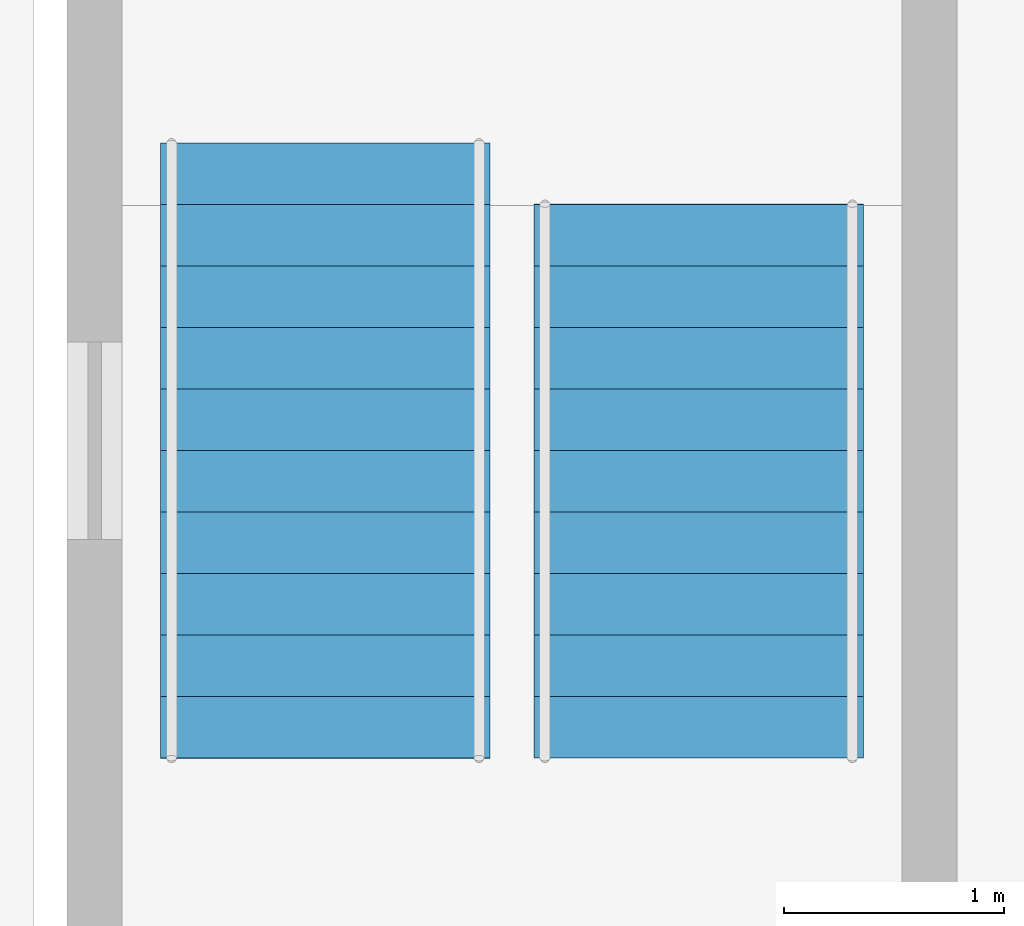
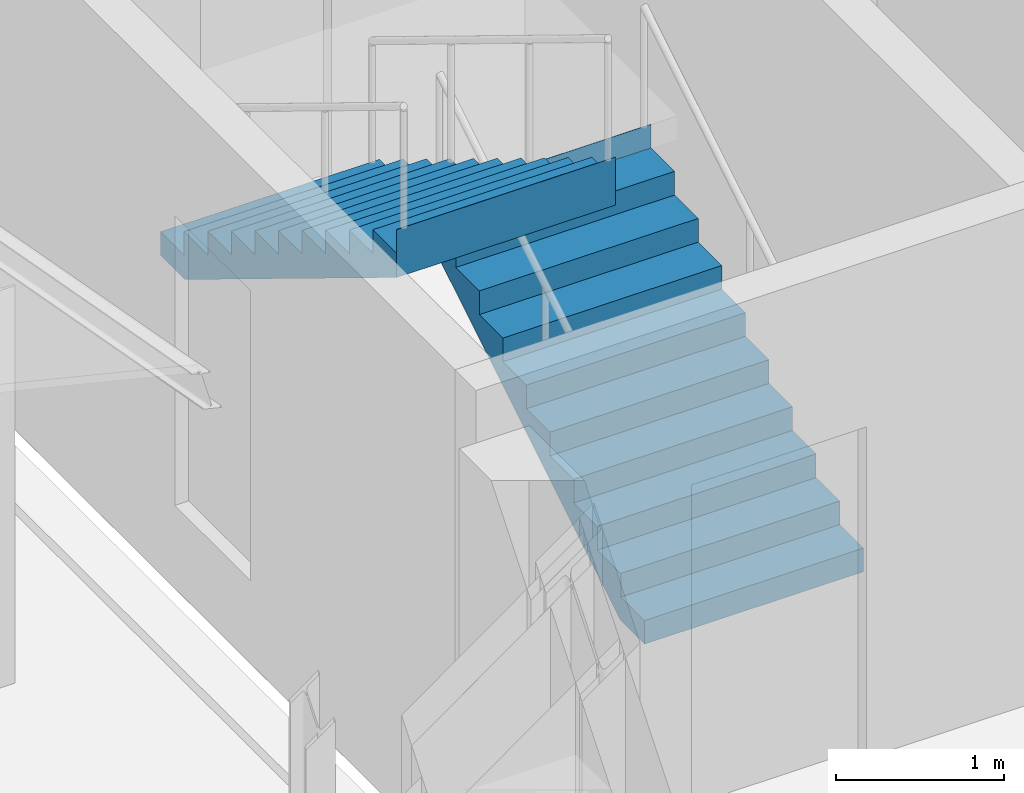
# One storey, part 102 of 143: 2 stair flights, 1 element without a shape of its own.
"""IFC4 building model written with IfcOpenShell, lengths in metres."""

from ifc_helpers import new_model, si_unit, direction, frame, origin, place, context, subcontext, project, spatial, polyline, outline, extrude, material, type_object, element, aggregate, save


model = new_model("IFC4")

# Units and contexts
model_context = context("Model", 3, precision=1e-05, world=origin(), true_north=direction((0.0, 1.0)))
body_context = subcontext(model_context, "Body", "Model", "MODEL_VIEW")
ifc_project = project(units=[si_unit("LENGTHUNIT", "METRE"), si_unit("AREAUNIT", "SQUARE_METRE"), si_unit("VOLUMEUNIT", "CUBIC_METRE"), si_unit("PLANEANGLEUNIT", "RADIAN"), si_unit("MASSUNIT", "GRAM", prefix="KILO")], contexts=[model_context])

# Site, building, storey
site_placement = place(None, origin())
site = spatial("IfcSite", under=ifc_project, at=site_placement, CompositionType="ELEMENT")
building_placement = place(site_placement, origin())
building = spatial("IfcBuilding", under=site, at=building_placement, Name="Kupolbacken Congress Centre", CompositionType="ELEMENT")
storey_placement = place(building_placement, frame((0.0, 0.0, 7.199951171875)))
storey = spatial("IfcBuildingStorey", under=building, at=storey_placement, Name="L02", CompositionType="ELEMENT", Elevation=7.199951171875)

# Stair, stair flights
ifc_material_1 = material(Name="Steel S355", Category="steel")
stair_type = type_object("IfcStairType", Name="ST2 stair 1500", PredefinedType="TWO_STRAIGHT_RUN_STAIR", material=ifc_material_1)
stair_placement = place(storey_placement, origin())
stair = element("IfcStair", 1, at=stair_placement, inside=storey, type_object=stair_type, Name="C/stair/BS2/L02", PredefinedType="NOTDEFINED")
ifc_material_2 = material(Name="Steel S355", Category="steel")
stair_flight_type_1 = type_object("IfcStairFlightType", Name="FL3 stair flight 1500 x 10 risers", PredefinedType="STRAIGHT", material=ifc_material_2)
stair_flight_1_placement = place(storey_placement, frame((139.550048828125, 146.7548828125, 0.0), z_axis=(0.0, 0.0, 1.0), x_axis=(0.0, 1.0, 0.0)))
stair_flight_1 = element("IfcStairFlight", 2, at=stair_flight_1_placement, type_object=stair_flight_type_1, Name="BS2 flight 1", NumberOfRisers=10, NumberOfTreads=9, PredefinedType="STRAIGHT", RiserHeight=0.171428571, TreadLength=0.28, context=body_context, shape_type="SweptSolid", body=[
    extrude(outline(polyline([(0.0, 0.0), (0.0, 0.0009765625), (0.0, 0.002197265625), (0.0, 0.003173828125), (0.0, 0.004150390625), (0.0, 0.00537109375), (0.0, 0.00634765625), (0.0, 0.007568359375), (0.0, 0.008544921875), (0.0, 0.009521484375), (0.0, 0.0107421875), (0.0, 0.01171875), (0.0, 0.0126953125), (0.0, 0.013916015625), (0.0, 0.014892578125), (0.0, 0.015869140625), (0.0, 0.01708984375), (0.0, 0.01806640625), (0.0, 0.019287109375), (0.0, 0.020263671875), (0.0, 0.021240234375), (0.0, 0.0224609375), (0.0, 0.0234375), (0.0, 0.0244140625), (0.0, 0.025634765625), (0.0, 0.026611328125), (0.0, 0.027587890625), (0.0, 0.02880859375), (0.0, 0.02978515625), (0.0, 0.03076171875), (0.0, 0.031982421875), (0.0, 0.032958984375), (0.0, 0.0341796875), (0.0, 0.03515625), (0.0, 0.0361328125), (0.0, 0.037353515625), (0.0, 0.038330078125), (0.0, 0.039306640625), (0.0, 0.04052734375), (0.0, 0.04150390625), (0.0, 0.04248046875), (0.0, 0.043701171875), (0.0, 0.044677734375), (0.0, 0.0458984375), (0.0, 0.046875), (0.0, 0.0478515625), (0.0, 0.049072265625), (0.0, 0.050048828125), (0.0, 0.051025390625), (0.0, 0.05224609375), (0.0, 0.05322265625), (0.0, 0.05419921875), (0.0, 0.055419921875), (0.0, 0.056396484375), (0.0, 0.0576171875), (0.0, 0.05859375), (0.0, 0.0595703125), (0.0, 0.060791015625), (0.0, 0.061767578125), (0.0, 0.062744140625), (0.0, 0.06396484375), (0.0, 0.06494140625), (0.0, 0.06591796875), (0.0, 0.067138671875), (0.0, 0.068115234375), (0.0, 0.069091796875), (0.0, 0.0703125), (0.0, 0.0712890625), (0.0, 0.072509765625), (0.0, 0.073486328125), (0.0, 0.074462890625), (0.0, 0.07568359375), (0.0, 0.07666015625), (0.0, 0.07763671875), (0.0, 0.078857421875), (0.0, 0.079833984375), (0.0, 0.080810546875), (0.0, 0.08203125), (0.0, 0.0830078125), (0.0, 0.084228515625), (0.0, 0.085205078125), (0.0, 0.086181640625), (0.0, 0.08740234375), (0.0, 0.08837890625), (0.0, 0.08935546875), (0.0, 0.090576171875), (0.0, 0.091552734375), (0.0, 0.092529296875), (0.0, 0.09375), (0.0, 0.0947265625), (0.0, 0.095947265625), (0.0, 0.096923828125), (0.0, 0.097900390625), (0.0, 0.09912109375), (0.0, 0.10009765625), (0.0, 0.10107421875), (0.0, 0.102294921875), (0.0, 0.103271484375), (0.0, 0.104248046875), (0.0, 0.10546875), (0.0, 0.1064453125), (0.0, 0.107421875), (0.0, 0.108642578125), (0.0, 0.109619140625), (0.0, 0.11083984375), (0.0, 0.11181640625), (0.0, 0.11279296875), (0.0, 0.114013671875), (0.0, 0.114990234375), (0.0, 0.115966796875), (0.0, 0.1171875), (0.0, 0.1181640625), (0.0, 0.119140625), (0.0, 0.120361328125), (0.0, 0.121337890625), (0.0, 0.12255859375), (0.0, 0.12353515625), (0.0, 0.12451171875), (0.0, 0.125732421875), (0.0, 0.126708984375), (0.0, 0.127685546875), (0.0, 0.12890625), (0.0, 0.1298828125), (0.0, 0.130859375), (0.0, 0.132080078125), (0.0, 0.133056640625), (0.0, 0.13427734375), (0.0, 0.13525390625), (0.0, 0.13623046875), (0.0, 0.137451171875), (0.0, 0.138427734375), (0.0, 0.139404296875), (0.0, 0.140625), (0.0, 0.1416015625), (0.0, 0.142578125), (0.0, 0.143798828125), (0.0, 0.144775390625), (0.0, 0.145751953125), (0.0, 0.14697265625), (0.0, 0.14794921875), (0.0, 0.149169921875), (0.0, 0.150146484375), (0.0, 0.151123046875), (0.0, 0.15234375), (0.0, 0.1533203125), (0.0, 0.154296875), (0.0, 0.155517578125), (0.0, 0.156494140625), (0.0, 0.157470703125), (0.0, 0.15869140625), (0.0, 0.15966796875), (0.0, 0.160888671875), (0.0, 0.161865234375), (0.0, 0.162841796875), (0.0, 0.1640625), (0.0, 0.1650390625), (0.0, 0.166015625), (0.0, 0.167236328125), (0.0, 0.168212890625), (0.0, 0.169189453125), (0.0, 0.17041015625), (0.0, 0.17138671875), (0.280029296875, 0.17138671875), (0.280029296875, 0.3427734375), (0.56005859375, 0.3427734375), (0.56005859375, 0.514404296875), (0.840087890625, 0.514404296875), (0.840087890625, 0.685791015625), (1.1201171875, 0.685791015625), (1.1201171875, 0.857177734375), (1.39990234375, 0.857177734375), (1.39990234375, 1.028564453125), (1.679931640625, 1.028564453125), (1.679931640625, 1.199951171875), (1.9599609375, 1.199951171875), (1.9599609375, 1.371337890625), (2.239990234375, 1.371337890625), (2.239990234375, 1.54296875), (2.52001953125, 1.54296875), (2.52001953125, 1.71435546875), (2.52197265625, 1.71435546875), (2.52197265625, 1.712158203125), (2.52197265625, 1.7099609375), (2.52197265625, 1.707763671875), (2.52197265625, 1.70556640625), (2.52197265625, 1.70361328125), (2.52197265625, 1.701416015625), (2.52197265625, 1.69921875), (2.52197265625, 1.697021484375), (2.52197265625, 1.69482421875), (2.52197265625, 1.692626953125), (2.52197265625, 1.690673828125), (2.52197265625, 1.6884765625), (2.52197265625, 1.686279296875), (2.52197265625, 1.68408203125), (2.52197265625, 1.681884765625), (2.52197265625, 1.6796875), (2.52197265625, 1.677734375), (2.52197265625, 1.675537109375), (2.52197265625, 1.67333984375), (2.52197265625, 1.671142578125), (2.52197265625, 1.6689453125), (2.52197265625, 1.666748046875), (2.52197265625, 1.664794921875), (2.52197265625, 1.66259765625), (2.52197265625, 1.660400390625), (2.52197265625, 1.658203125), (2.52197265625, 1.656005859375), (2.52197265625, 1.65380859375), (2.52197265625, 1.65185546875), (2.52197265625, 1.649658203125), (2.52197265625, 1.6474609375), (2.52197265625, 1.645263671875), (2.52197265625, 1.64306640625), (2.52197265625, 1.640869140625), (2.52197265625, 1.638916015625), (2.52197265625, 1.63671875), (2.52197265625, 1.634521484375), (2.52197265625, 1.63232421875), (2.52197265625, 1.630126953125), (2.52197265625, 1.6279296875), (2.52197265625, 1.6259765625), (2.52197265625, 1.623779296875), (2.52197265625, 1.62158203125), (2.52197265625, 1.619384765625), (2.52197265625, 1.6171875), (2.52197265625, 1.614990234375), (2.52197265625, 1.613037109375), (2.52197265625, 1.61083984375), (2.52197265625, 1.608642578125), (2.52197265625, 1.6064453125), (2.52197265625, 1.604248046875), (2.52197265625, 1.60205078125), (2.52197265625, 1.60009765625), (2.52197265625, 1.597900390625), (2.52197265625, 1.595703125), (2.52197265625, 1.593505859375), (2.52197265625, 1.59130859375), (2.52197265625, 1.589111328125), (2.52197265625, 1.587158203125), (2.52197265625, 1.5849609375), (2.52197265625, 1.582763671875), (2.52197265625, 1.58056640625), (2.52197265625, 1.578369140625), (2.52197265625, 1.576171875), (2.52197265625, 1.57421875), (2.52197265625, 1.572021484375), (2.52197265625, 1.56982421875), (2.52197265625, 1.567626953125), (2.52197265625, 1.5654296875), (2.52197265625, 1.563232421875), (2.52197265625, 1.561279296875), (2.52197265625, 1.55908203125), (2.52197265625, 1.556884765625), (2.52197265625, 1.5546875), (2.52197265625, 1.552490234375), (2.52197265625, 1.55029296875), (2.52197265625, 1.54833984375), (2.52197265625, 1.546142578125), (2.52197265625, 1.5439453125), (2.52197265625, 1.541748046875), (2.52197265625, 1.53955078125), (2.52197265625, 1.537353515625), (2.52197265625, 1.535400390625), (2.52197265625, 1.533203125), (2.52197265625, 1.531005859375), (2.52197265625, 1.52880859375), (2.52197265625, 1.526611328125), (2.52197265625, 1.5244140625), (2.52197265625, 1.5224609375), (2.52197265625, 1.520263671875), (2.52197265625, 1.51806640625), (2.52197265625, 1.515869140625), (2.52197265625, 1.513671875), (2.52197265625, 1.511474609375), (2.52197265625, 1.509521484375), (2.52197265625, 1.50732421875), (2.52197265625, 1.505126953125), (2.52197265625, 1.5029296875), (2.52197265625, 1.500732421875), (2.52197265625, 1.49853515625), (2.52197265625, 1.49658203125), (2.52197265625, 1.494384765625), (2.52197265625, 1.4921875), (2.52197265625, 1.489990234375), (2.52197265625, 1.48779296875), (2.52197265625, 1.485595703125), (2.52197265625, 1.483642578125), (2.52197265625, 1.4814453125), (2.52197265625, 1.479248046875), (2.52197265625, 1.47705078125), (2.52197265625, 1.474853515625), (2.52197265625, 1.47265625), (2.52197265625, 1.470703125), (2.52197265625, 1.468505859375), (2.52197265625, 1.46630859375), (2.52197265625, 1.464111328125), (2.52197265625, 1.4619140625), (2.52197265625, 1.459716796875), (2.52197265625, 1.457763671875), (2.52197265625, 1.45556640625), (2.52197265625, 1.453369140625), (2.52197265625, 1.451171875), (2.52197265625, 1.448974609375), (2.52197265625, 1.44677734375), (2.52197265625, 1.44482421875), (2.52197265625, 1.442626953125), (2.52197265625, 1.4404296875), (2.52197265625, 1.438232421875), (2.52197265625, 1.43603515625), (2.52197265625, 1.433837890625), (2.52197265625, 1.431884765625), (2.52197265625, 1.4296875), (2.52197265625, 1.427490234375), (2.52197265625, 1.42529296875), (2.52197265625, 1.423095703125), (2.52197265625, 1.4208984375), (2.52197265625, 1.4189453125), (2.52197265625, 1.416748046875), (2.52197265625, 1.41455078125), (2.52197265625, 1.412353515625), (2.52197265625, 1.41015625), (2.52197265625, 1.407958984375), (2.52197265625, 1.406005859375), (2.52197265625, 1.40380859375), (2.52197265625, 1.401611328125), (2.52197265625, 1.3994140625), (2.52197265625, 1.397216796875), (2.52197265625, 1.39501953125), (2.52197265625, 1.39306640625), (2.52197265625, 1.390869140625), (2.52197265625, 1.388671875), (2.52197265625, 1.386474609375), (2.52197265625, 1.38427734375), (2.52197265625, 1.382080078125), (2.52197265625, 1.380126953125), (2.52197265625, 1.3779296875), (2.52197265625, 1.375732421875), (2.52197265625, 1.37353515625), (2.52197265625, 1.371337890625), (2.52197265625, 1.369140625), (2.52197265625, 1.3671875), (0.2890625, 0.0), (0.0, 0.0)])), frame((0.0, 0.75, 0.0), z_axis=(0.0, -1.0, 0.0), x_axis=(1.0, 0.0, 0.0)), (0.0, 0.0, 1.0), 1.5),
])
ifc_material_3 = material(Name="Steel S355", Category="steel")
stair_flight_type_2 = type_object("IfcStairFlightType", Name="FL4 stair flight 1500 x 11 risers", PredefinedType="STRAIGHT", material=ifc_material_3)
stair_flight_2_placement = place(storey_placement, frame((137.85009765625, 149.554931640625, 1.71435546875), z_axis=(0.0, 0.0, 1.0), x_axis=(0.0, -1.0, 0.0)))
stair_flight_2 = element("IfcStairFlight", 3, at=stair_flight_2_placement, type_object=stair_flight_type_2, Name="BS2 flight 2", NumberOfRisers=11, NumberOfTreads=10, PredefinedType="STRAIGHT", RiserHeight=0.171428571, TreadLength=0.28, context=body_context, shape_type="SweptSolid", body=[
    extrude(outline(polyline([(0.0, 0.0), (0.0, 0.0009765625), (0.0, 0.002197265625), (0.0, 0.003173828125), (0.0, 0.004150390625), (0.0, 0.00537109375), (0.0, 0.00634765625), (0.0, 0.007568359375), (0.0, 0.008544921875), (0.0, 0.009521484375), (0.0, 0.0107421875), (0.0, 0.01171875), (0.0, 0.0126953125), (0.0, 0.013916015625), (0.0, 0.014892578125), (0.0, 0.015869140625), (0.0, 0.01708984375), (0.0, 0.01806640625), (0.0, 0.019287109375), (0.0, 0.020263671875), (0.0, 0.021240234375), (0.0, 0.0224609375), (0.0, 0.0234375), (0.0, 0.0244140625), (0.0, 0.025634765625), (0.0, 0.026611328125), (0.0, 0.027587890625), (0.0, 0.02880859375), (0.0, 0.02978515625), (0.0, 0.03076171875), (0.0, 0.031982421875), (0.0, 0.032958984375), (0.0, 0.0341796875), (0.0, 0.03515625), (0.0, 0.0361328125), (0.0, 0.037353515625), (0.0, 0.038330078125), (0.0, 0.039306640625), (0.0, 0.04052734375), (0.0, 0.04150390625), (0.0, 0.04248046875), (0.0, 0.043701171875), (0.0, 0.044677734375), (0.0, 0.0458984375), (0.0, 0.046875), (0.0, 0.0478515625), (0.0, 0.049072265625), (0.0, 0.050048828125), (0.0, 0.051025390625), (0.0, 0.05224609375), (0.0, 0.05322265625), (0.0, 0.05419921875), (0.0, 0.055419921875), (0.0, 0.056396484375), (0.0, 0.0576171875), (0.0, 0.05859375), (0.0, 0.0595703125), (0.0, 0.060791015625), (0.0, 0.061767578125), (0.0, 0.062744140625), (0.0, 0.06396484375), (0.0, 0.06494140625), (0.0, 0.06591796875), (0.0, 0.067138671875), (0.0, 0.068115234375), (0.0, 0.069091796875), (0.0, 0.0703125), (0.0, 0.0712890625), (0.0, 0.072509765625), (0.0, 0.073486328125), (0.0, 0.074462890625), (0.0, 0.07568359375), (0.0, 0.07666015625), (0.0, 0.07763671875), (0.0, 0.078857421875), (0.0, 0.079833984375), (0.0, 0.080810546875), (0.0, 0.08203125), (0.0, 0.0830078125), (0.0, 0.084228515625), (0.0, 0.085205078125), (0.0, 0.086181640625), (0.0, 0.08740234375), (0.0, 0.08837890625), (0.0, 0.08935546875), (0.0, 0.090576171875), (0.0, 0.091552734375), (0.0, 0.092529296875), (0.0, 0.09375), (0.0, 0.0947265625), (0.0, 0.095947265625), (0.0, 0.096923828125), (0.0, 0.097900390625), (0.0, 0.09912109375), (0.0, 0.10009765625), (0.0, 0.10107421875), (0.0, 0.102294921875), (0.0, 0.103271484375), (0.0, 0.104248046875), (0.0, 0.10546875), (0.0, 0.1064453125), (0.0, 0.107421875), (0.0, 0.108642578125), (0.0, 0.109619140625), (0.0, 0.11083984375), (0.0, 0.11181640625), (0.0, 0.11279296875), (0.0, 0.114013671875), (0.0, 0.114990234375), (0.0, 0.115966796875), (0.0, 0.1171875), (0.0, 0.1181640625), (0.0, 0.119140625), (0.0, 0.120361328125), (0.0, 0.121337890625), (0.0, 0.12255859375), (0.0, 0.12353515625), (0.0, 0.12451171875), (0.0, 0.125732421875), (0.0, 0.126708984375), (0.0, 0.127685546875), (0.0, 0.12890625), (0.0, 0.1298828125), (0.0, 0.130859375), (0.0, 0.132080078125), (0.0, 0.133056640625), (0.0, 0.13427734375), (0.0, 0.13525390625), (0.0, 0.13623046875), (0.0, 0.137451171875), (0.0, 0.138427734375), (0.0, 0.139404296875), (0.0, 0.140625), (0.0, 0.1416015625), (0.0, 0.142578125), (0.0, 0.143798828125), (0.0, 0.144775390625), (0.0, 0.145751953125), (0.0, 0.14697265625), (0.0, 0.14794921875), (0.0, 0.149169921875), (0.0, 0.150146484375), (0.0, 0.151123046875), (0.0, 0.15234375), (0.0, 0.1533203125), (0.0, 0.154296875), (0.0, 0.155517578125), (0.0, 0.156494140625), (0.0, 0.157470703125), (0.0, 0.15869140625), (0.0, 0.15966796875), (0.0, 0.160888671875), (0.0, 0.161865234375), (0.0, 0.162841796875), (0.0, 0.1640625), (0.0, 0.1650390625), (0.0, 0.166015625), (0.0, 0.167236328125), (0.0, 0.168212890625), (0.0, 0.169189453125), (0.0, 0.17041015625), (0.0, 0.17138671875), (0.280029296875, 0.17138671875), (0.280029296875, 0.3427734375), (0.56005859375, 0.3427734375), (0.56005859375, 0.514404296875), (0.840087890625, 0.514404296875), (0.840087890625, 0.685791015625), (1.1201171875, 0.685791015625), (1.1201171875, 0.857177734375), (1.39990234375, 0.857177734375), (1.39990234375, 1.028564453125), (1.679931640625, 1.028564453125), (1.679931640625, 1.199951171875), (1.9599609375, 1.199951171875), (1.9599609375, 1.371337890625), (2.239990234375, 1.371337890625), (2.239990234375, 1.54296875), (2.52001953125, 1.54296875), (2.52001953125, 1.71435546875), (2.800048828125, 1.71435546875), (2.800048828125, 1.8857421875), (2.802001953125, 1.8857421875), (2.802001953125, 1.883544921875), (2.802001953125, 1.88134765625), (2.802001953125, 1.879150390625), (2.802001953125, 1.877197265625), (2.802001953125, 1.875), (2.802001953125, 1.872802734375), (2.802001953125, 1.87060546875), (2.802001953125, 1.868408203125), (2.802001953125, 1.8662109375), (2.802001953125, 1.8642578125), (2.802001953125, 1.862060546875), (2.802001953125, 1.85986328125), (2.802001953125, 1.857666015625), (2.802001953125, 1.85546875), (2.802001953125, 1.853271484375), (2.802001953125, 1.851318359375), (2.802001953125, 1.84912109375), (2.802001953125, 1.846923828125), (2.802001953125, 1.8447265625), (2.802001953125, 1.842529296875), (2.802001953125, 1.84033203125), (2.802001953125, 1.83837890625), (2.802001953125, 1.836181640625), (2.802001953125, 1.833984375), (2.802001953125, 1.831787109375), (2.802001953125, 1.82958984375), (2.802001953125, 1.827392578125), (2.802001953125, 1.825439453125), (2.802001953125, 1.8232421875), (2.802001953125, 1.821044921875), (2.802001953125, 1.81884765625), (2.802001953125, 1.816650390625), (2.802001953125, 1.814453125), (2.802001953125, 1.8125), (2.802001953125, 1.810302734375), (2.802001953125, 1.80810546875), (2.802001953125, 1.805908203125), (2.802001953125, 1.8037109375), (2.802001953125, 1.801513671875), (2.802001953125, 1.799560546875), (2.802001953125, 1.79736328125), (2.802001953125, 1.795166015625), (2.802001953125, 1.79296875), (2.802001953125, 1.790771484375), (2.802001953125, 1.78857421875), (2.802001953125, 1.78662109375), (2.802001953125, 1.784423828125), (2.802001953125, 1.7822265625), (2.802001953125, 1.780029296875), (2.802001953125, 1.77783203125), (2.802001953125, 1.775634765625), (2.802001953125, 1.773681640625), (2.802001953125, 1.771484375), (2.802001953125, 1.769287109375), (2.802001953125, 1.76708984375), (2.802001953125, 1.764892578125), (2.802001953125, 1.7626953125), (2.802001953125, 1.7607421875), (2.802001953125, 1.758544921875), (2.802001953125, 1.75634765625), (2.802001953125, 1.754150390625), (2.802001953125, 1.751953125), (2.802001953125, 1.749755859375), (2.802001953125, 1.747802734375), (2.802001953125, 1.74560546875), (2.802001953125, 1.743408203125), (2.802001953125, 1.7412109375), (2.802001953125, 1.739013671875), (2.802001953125, 1.73681640625), (2.802001953125, 1.73486328125), (2.802001953125, 1.732666015625), (2.802001953125, 1.73046875), (2.802001953125, 1.728271484375), (2.802001953125, 1.72607421875), (2.802001953125, 1.723876953125), (2.802001953125, 1.721923828125), (2.802001953125, 1.7197265625), (2.802001953125, 1.717529296875), (2.802001953125, 1.71533203125), (2.802001953125, 1.713134765625), (2.802001953125, 1.7109375), (2.802001953125, 1.708984375), (2.802001953125, 1.706787109375), (2.802001953125, 1.70458984375), (2.802001953125, 1.702392578125), (2.802001953125, 1.7001953125), (2.802001953125, 1.697998046875), (2.802001953125, 1.696044921875), (2.802001953125, 1.69384765625), (2.802001953125, 1.691650390625), (2.802001953125, 1.689453125), (2.802001953125, 1.687255859375), (2.802001953125, 1.68505859375), (2.802001953125, 1.68310546875), (2.802001953125, 1.680908203125), (2.802001953125, 1.6787109375), (2.802001953125, 1.676513671875), (2.802001953125, 1.67431640625), (2.802001953125, 1.672119140625), (2.802001953125, 1.670166015625), (2.802001953125, 1.66796875), (2.802001953125, 1.665771484375), (2.802001953125, 1.66357421875), (2.802001953125, 1.661376953125), (2.802001953125, 1.6591796875), (2.802001953125, 1.6572265625), (2.802001953125, 1.655029296875), (2.802001953125, 1.65283203125), (2.802001953125, 1.650634765625), (2.802001953125, 1.6484375), (2.802001953125, 1.646240234375), (2.802001953125, 1.644287109375), (2.802001953125, 1.64208984375), (2.802001953125, 1.639892578125), (2.802001953125, 1.6376953125), (2.802001953125, 1.635498046875), (2.802001953125, 1.63330078125), (2.802001953125, 1.63134765625), (2.802001953125, 1.629150390625), (2.802001953125, 1.626953125), (2.802001953125, 1.624755859375), (2.802001953125, 1.62255859375), (2.802001953125, 1.620361328125), (2.802001953125, 1.618408203125), (2.802001953125, 1.6162109375), (2.802001953125, 1.614013671875), (2.802001953125, 1.61181640625), (2.802001953125, 1.609619140625), (2.802001953125, 1.607421875), (2.802001953125, 1.60546875), (2.802001953125, 1.603271484375), (2.802001953125, 1.60107421875), (2.802001953125, 1.598876953125), (2.802001953125, 1.5966796875), (2.802001953125, 1.594482421875), (2.802001953125, 1.592529296875), (2.802001953125, 1.59033203125), (2.802001953125, 1.588134765625), (2.802001953125, 1.5859375), (2.802001953125, 1.583740234375), (2.802001953125, 1.58154296875), (2.802001953125, 1.57958984375), (2.802001953125, 1.577392578125), (2.802001953125, 1.5751953125), (2.802001953125, 1.572998046875), (2.802001953125, 1.57080078125), (2.802001953125, 1.568603515625), (2.802001953125, 1.566650390625), (2.802001953125, 1.564453125), (2.802001953125, 1.562255859375), (2.802001953125, 1.56005859375), (2.802001953125, 1.557861328125), (2.802001953125, 1.5556640625), (2.802001953125, 1.5537109375), (2.802001953125, 1.551513671875), (2.802001953125, 1.54931640625), (2.802001953125, 1.547119140625), (2.802001953125, 1.544921875), (2.802001953125, 1.542724609375), (2.802001953125, 1.540771484375), (2.802001953125, 1.53857421875), (0.2890625, 0.0), (0.0, 0.0)])), frame((0.0, 0.75, 0.0), z_axis=(0.0, -1.0, 0.0), x_axis=(1.0, 0.0, 0.0)), (0.0, 0.0, 1.0), 1.5),
])
aggregate(stair, [stair_flight_1, stair_flight_2])

save(model, "model.ifc")
